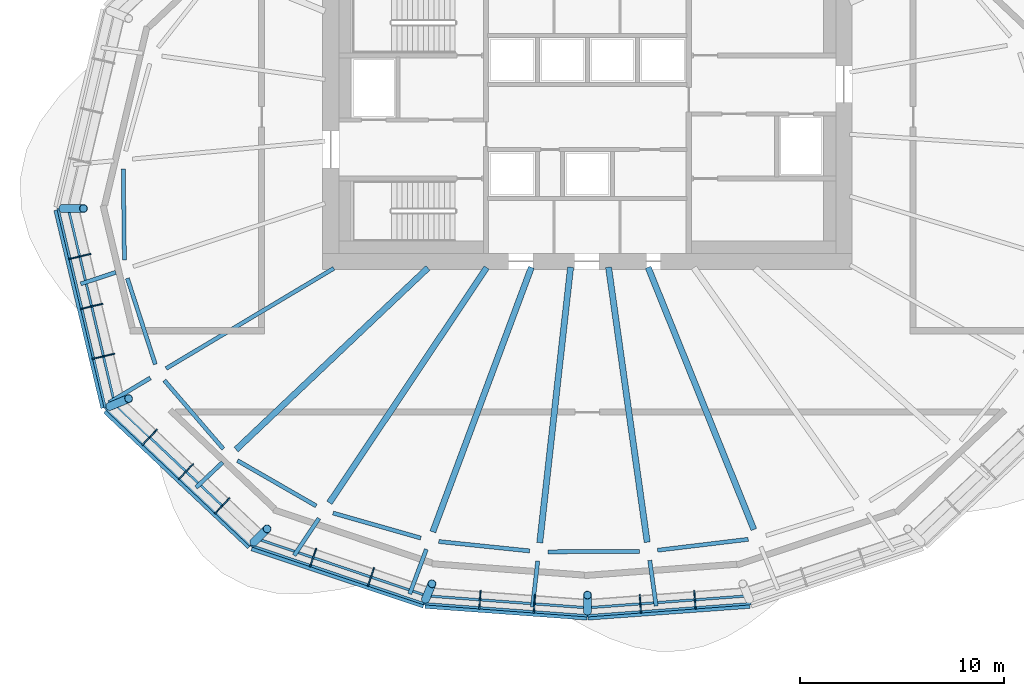
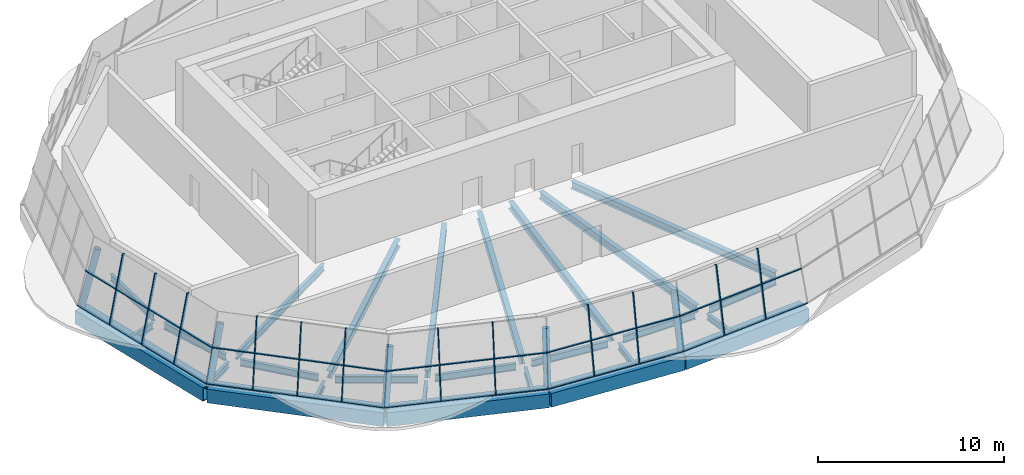
# One storey, part 1 of 9: 27 beams, 27 members, 5 elements without a shape of their own.
"""IFC4 building model written with IfcOpenShell, lengths in metres."""

from ifc_helpers import new_model, si_unit, direction, frame, origin, origin_2d, place, context, subcontext, project, spatial, rectangle, hollow_rectangle, hollow_circle, i_section, extrude, material, material_profile, profile_set, type_object, element, aggregate, save


model = new_model("IFC4")

# Units and contexts
model_context = context("Model", 3, precision=1e-05, world=origin(), true_north=direction((0.0, 1.0)))
body_context = subcontext(model_context, "Body", "Model", "MODEL_VIEW")
ifc_project = project(units=[si_unit("LENGTHUNIT", "METRE"), si_unit("AREAUNIT", "SQUARE_METRE"), si_unit("VOLUMEUNIT", "CUBIC_METRE"), si_unit("PLANEANGLEUNIT", "RADIAN"), si_unit("MASSUNIT", "GRAM", prefix="KILO")], contexts=[model_context])

# Site, building, storey
site_placement = place(None, origin())
site = spatial("IfcSite", under=ifc_project, at=site_placement, CompositionType="ELEMENT")
building_placement = place(site_placement, origin())
building = spatial("IfcBuilding", under=site, at=building_placement, Name="Rubra Terraces Tower", CompositionType="ELEMENT")
storey_placement = place(building_placement, frame((0.0, 0.0, 307.800048828125)))
storey = spatial("IfcBuildingStorey", under=building, at=storey_placement, Name="L76", CompositionType="ELEMENT", Elevation=307.800048828125)

# Beams
ifc_material_1 = material(Name="Steel Q355B", Category="steel")
ifc_material_profile_1 = material_profile(ifc_material_1, i_section(OverallWidth=0.199951171875, OverallDepth=0.39990234375, WebThickness=0.008056640625, FlangeThickness=0.012939453125, at=origin_2d()), Name="HN 400x200x8x13")
ifc_profile_set_1 = profile_set([ifc_material_profile_1], Name="Steel Q355B")
beam_type_1 = type_object("IfcBeamType", Name="CANTILEVER BEAM HN 400x200x8x13", PredefinedType="BEAM", material=ifc_profile_set_1)
beam_1_placement = place(storey_placement, frame((-23.1669921875, -3.135986328125, -0.400146484375), z_axis=(-0.949903143149, -0.31254442666, 0.0), x_axis=(0.31254442666, -0.949903143149, 0.0)))
element("IfcBeam", 1, at=beam_1_placement, inside=storey, type_object=beam_type_1, Name="beam-L76-cant-13", PredefinedType="BEAM", context=body_context, shape_type="SweptSolid", body=[
    extrude(i_section(OverallWidth=0.199951171875, OverallDepth=0.39990234375, WebThickness=0.008056640625, FlangeThickness=0.012939453125, at=origin_2d()), origin(), (0.0, 0.0, 1.0), 1.810791015625),
])
beam_2_placement = place(storey_placement, frame((-21.467041015625, -8.321044921875, -0.400146484375), z_axis=(-0.858773332424, -0.51235570019, 0.0), x_axis=(0.51235570019, -0.858773332424, 0.0)))
element("IfcBeam", 2, at=beam_2_placement, inside=storey, type_object=beam_type_1, Name="beam-L76-cant-14", PredefinedType="BEAM", context=body_context, shape_type="SweptSolid", body=[
    extrude(i_section(OverallWidth=0.199951171875, OverallDepth=0.39990234375, WebThickness=0.008056640625, FlangeThickness=0.012939453125, at=origin_2d()), origin(), (0.0, 0.0, 1.0), 2.3671875),
])
beam_3_placement = place(storey_placement, frame((-17.9130859375, -12.462890625, -0.400146484375), z_axis=(-0.725942009029, -0.687755915661, 0.0), x_axis=(0.687755915661, -0.725942009029, 0.0)))
element("IfcBeam", 3, at=beam_3_placement, inside=storey, type_object=beam_type_1, Name="beam-L76-cant-15", PredefinedType="BEAM", context=body_context, shape_type="SweptSolid", body=[
    extrude(i_section(OverallWidth=0.199951171875, OverallDepth=0.39990234375, WebThickness=0.008056640625, FlangeThickness=0.012939453125, at=origin_2d()), origin(), (0.0, 0.0, 1.0), 1.802978515625),
])
beam_4_placement = place(storey_placement, frame((-13.181884765625, -15.212890625, -0.400146484375), z_axis=(-0.555393079315, -0.831587955329, 0.0), x_axis=(0.831587955329, -0.555393079315, 0.0)))
element("IfcBeam", 4, at=beam_4_placement, inside=storey, type_object=beam_type_1, Name="beam-L76-cant-16", PredefinedType="BEAM", context=body_context, shape_type="SweptSolid", body=[
    extrude(i_section(OverallWidth=0.199951171875, OverallDepth=0.39990234375, WebThickness=0.008056640625, FlangeThickness=0.012939453125, at=origin_2d()), origin(), (0.0, 0.0, 1.0), 2.19482421875),
])
beam_5_placement = place(storey_placement, frame((-7.909912109375, -16.735107421875, -0.400146484375), z_axis=(-0.349408825605, -0.93697036911, 0.0), x_axis=(0.93697036911, -0.349408825605, 0.0)))
element("IfcBeam", 5, at=beam_5_placement, inside=storey, type_object=beam_type_1, Name="beam-L76-cant-17", PredefinedType="BEAM", context=body_context, shape_type="SweptSolid", body=[
    extrude(i_section(OverallWidth=0.199951171875, OverallDepth=0.39990234375, WebThickness=0.008056640625, FlangeThickness=0.012939453125, at=origin_2d()), origin(), (0.0, 0.0, 1.0), 2.34130859375),
])
beam_6_placement = place(storey_placement, frame((-2.44189453125, -17.31005859375, -0.400146484375), z_axis=(-0.111703379657, -0.993741593662, 0.0), x_axis=(0.993741593662, -0.111703379657, 0.0)))
element("IfcBeam", 6, at=beam_6_placement, inside=storey, type_object=beam_type_1, Name="beam-L76-cant-18", PredefinedType="BEAM", context=body_context, shape_type="SweptSolid", body=[
    extrude(i_section(OverallWidth=0.199951171875, OverallDepth=0.39990234375, WebThickness=0.008056640625, FlangeThickness=0.012939453125, at=origin_2d()), origin(), (0.0, 0.0, 1.0), 2.275146484375),
])
beam_7_placement = place(storey_placement, frame((3.06201171875, -17.282958984375, -0.400146484375), z_axis=(0.139349172758, -0.990243307502, 0.0), x_axis=(0.990243307502, 0.139349172758, 0.0)))
element("IfcBeam", 7, at=beam_7_placement, inside=storey, type_object=beam_type_1, Name="beam-L76-cant-19", PredefinedType="BEAM", context=body_context, shape_type="SweptSolid", body=[
    extrude(i_section(OverallWidth=0.199951171875, OverallDepth=0.39990234375, WebThickness=0.008056640625, FlangeThickness=0.012939453125, at=origin_2d()), origin(), (0.0, 0.0, 1.0), 2.260009765625),
])

# Members
ifc_material_profile_2 = material_profile(ifc_material_1, hollow_circle(Radius=0.202880859375, WallThickness=0.01611328125, at=origin_2d()), Name="CHS 406x16")
ifc_profile_set_2 = profile_set([ifc_material_profile_2], Name="Steel Q355B")
member_type_1 = type_object("IfcMemberType", Name="CROWN POST CHS 406x16", PredefinedType="POST", material=ifc_profile_set_2)
member_1_placement = place(storey_placement, frame((-25.76708984375, 0.0, -0.199951171875), z_axis=(0.279053306504, 0.0, 0.960275612587), x_axis=(0.0, 1.0, 0.0)))
element("IfcMember", 8, at=member_1_placement, inside=storey, type_object=member_type_1, Name="CROWN POST", PredefinedType="POST", context=body_context, shape_type="SweptSolid", body=[
    extrude(hollow_circle(Radius=0.202880859375, WallThickness=0.01611328125, at=origin_2d()), origin(), (0.0, 0.0, 1.0), 3.644775390625),
])
member_2_placement = place(storey_placement, frame((-23.456787109375, -9.7158203125, -0.199951171875), z_axis=(0.254357897839, 0.10521685782, 0.96136958171), x_axis=(-0.382244200362, 0.924061346064, 0.0)))
element("IfcMember", 9, at=member_2_placement, inside=storey, type_object=member_type_1, Name="CROWN POST", PredefinedType="POST", context=body_context, shape_type="SweptSolid", body=[
    extrude(hollow_circle(Radius=0.202880859375, WallThickness=0.01611328125, at=origin_2d()), origin(), (0.0, 0.0, 1.0), 3.640625),
])
member_3_placement = place(storey_placement, frame((-16.379150390625, -16.379150390625, -0.199951171875), z_axis=(0.178839493723, 0.178839493723, 0.967487917739), x_axis=(-0.707106781187, 0.707106781187, 0.0)))
element("IfcMember", 10, at=member_3_placement, inside=storey, type_object=member_type_1, Name="CROWN POST", PredefinedType="POST", context=body_context, shape_type="SweptSolid", body=[
    extrude(hollow_circle(Radius=0.202880859375, WallThickness=0.01611328125, at=origin_2d()), origin(), (0.0, 0.0, 1.0), 3.61767578125),
])
member_4_placement = place(storey_placement, frame((-7.94775390625, -19.188720703125, -0.199951171875), z_axis=(0.087331454924, 0.211130243668, 0.973548785213), x_axis=(-0.924067518239, 0.382229279014, 0.0)))
element("IfcMember", 11, at=member_4_placement, inside=storey, type_object=member_type_1, Name="CROWN POST", PredefinedType="POST", context=body_context, shape_type="SweptSolid", body=[
    extrude(hollow_circle(Radius=0.202880859375, WallThickness=0.01611328125, at=origin_2d()), origin(), (0.0, 0.0, 1.0), 3.59521484375),
])
member_5_placement = place(storey_placement, frame((0.0, -19.76708984375, -0.199951171875), z_axis=(0.0, 0.218047563731, 0.975938143506), x_axis=(-1.0, 0.0, 0.0)))
element("IfcMember", 12, at=member_5_placement, inside=storey, type_object=member_type_1, Name="CROWN POST", PredefinedType="POST", context=body_context, shape_type="SweptSolid", body=[
    extrude(hollow_circle(Radius=0.202880859375, WallThickness=0.01611328125, at=origin_2d()), origin(), (0.0, 0.0, 1.0), 3.586181640625),
])

# Beams
ifc_material_profile_3 = material_profile(ifc_material_1, hollow_rectangle(XDim=0.89990234375, YDim=0.89990234375, WallThickness=0.044921875, at=origin_2d()), Name="BOX 900x900x45")
ifc_profile_set_3 = profile_set([ifc_material_profile_3], Name="Steel Q355B")
beam_type_2 = type_object("IfcBeamType", Name="CROWN RING GIRDER BOX 900x900x45", PredefinedType="BEAM", material=ifc_profile_set_3)
beam_8_placement = place(storey_placement, frame((-25.76708984375, 0.0, -0.650146484375), z_axis=(0.231308749283, -0.972880394758, 0.0), x_axis=(0.972880394758, 0.231308749283, 0.0)))
element("IfcBeam", 13, at=beam_8_placement, inside=storey, type_object=beam_type_2, Name="CROWN RING GIRDER", PredefinedType="BEAM", context=body_context, shape_type="SweptSolid", body=[
    extrude(hollow_rectangle(XDim=0.89990234375, YDim=0.89990234375, WallThickness=0.044921875, at=origin_2d()), origin(), (0.0, 0.0, 1.0), 9.98681640625),
])
beam_9_placement = place(storey_placement, frame((-23.45703125, -9.716064453125, -0.650146484375), z_axis=(0.728144690434, -0.685423452905, 0.0), x_axis=(0.685423452905, 0.728144690434, 0.0)))
element("IfcBeam", 14, at=beam_9_placement, inside=storey, type_object=beam_type_2, Name="CROWN RING GIRDER", PredefinedType="BEAM", context=body_context, shape_type="SweptSolid", body=[
    extrude(hollow_rectangle(XDim=0.89990234375, YDim=0.89990234375, WallThickness=0.044921875, at=origin_2d()), origin(), (0.0, 0.0, 1.0), 9.720703125),
])
beam_10_placement = place(storey_placement, frame((-16.37890625, -16.37890625, -0.650146484375), z_axis=(0.948691539337, -0.316203041084, 0.0), x_axis=(0.316203041084, 0.948691539337, 0.0)))
element("IfcBeam", 15, at=beam_10_placement, inside=storey, type_object=beam_type_2, Name="CROWN RING GIRDER", PredefinedType="BEAM", context=body_context, shape_type="SweptSolid", body=[
    extrude(hollow_rectangle(XDim=0.89990234375, YDim=0.89990234375, WallThickness=0.044921875, at=origin_2d()), origin(), (0.0, 0.0, 1.0), 8.886962890625),
])
for number, where, z_axis, x_axis, name in (
    (16, (-7.947998046875, -19.18896484375, -0.650146484375), (0.997365010944, -0.072546777635, 0.0), (0.072546777635, 0.997365010944, 0.0), "CROWN RING GIRDER"),
    (17, (0.0, -19.76708984375, -0.650146484375), (0.997365010944, 0.072546777635, 0.0), (-0.072546777635, 0.997365010944, 0.0), "CROWN RING GIRDER"),
):
    element("IfcBeam", number, at=place(storey_placement, frame(where, z_axis=z_axis, x_axis=x_axis)), inside=storey, type_object=beam_type_2, Name=name, PredefinedType="BEAM", context=body_context, shape_type="SweptSolid", body=[
        extrude(hollow_rectangle(XDim=0.89990234375, YDim=0.89990234375, WallThickness=0.044921875, at=origin_2d()), origin(), (0.0, 0.0, 1.0), 7.968994140625),
    ])

# Curtain wall, members
ifc_material_2 = material(Name="Aluminium and glass", Category="aluminium")
curtain_wall_type = type_object("IfcCurtainWallType", Name="Curtain wall Crown glazing", PredefinedType="NOTDEFINED", material=ifc_material_2)
curtain_wall_1_placement = place(storey_placement, origin())
curtain_wall_1 = element("IfcCurtainWall", 18, at=curtain_wall_1_placement, inside=storey, type_object=curtain_wall_type, Name="Crown glazing L76 facet 9", PredefinedType="NOTDEFINED")
ifc_material_3 = material(Name="Aluminium, anodised dark grey", Category="aluminium")
ifc_material_profile_4 = material_profile(ifc_material_3, rectangle(XDim=0.06005859375, YDim=0.159912109375, at=origin_2d()), Name="AL 60x160")
ifc_profile_set_4 = profile_set([ifc_material_profile_4], Name="Aluminium, anodised dark grey")
member_type_2 = type_object("IfcMemberType", Name="Crown glazing mullion 60 x 160", PredefinedType="MULLION", material=ifc_profile_set_4)
member_6_placement = place(storey_placement, frame((-25.41357421875, -2.4697265625, 0.0), z_axis=(0.223097402473, 0.052959464549, 0.973356483579), x_axis=(-0.230964397981, 0.972962202177, 0.0)))
member_6 = element("IfcMember", 19, at=member_6_placement, type_object=member_type_2, Name="Crown glazing L76 facet 9 mullion 1", PredefinedType="MULLION", context=body_context, shape_type="SweptSolid", body=[
    extrude(rectangle(XDim=0.06005859375, YDim=0.159912109375, at=origin_2d()), origin(), (0.0, 0.0, 1.0), 4.31494140625),
])
member_7_placement = place(storey_placement, frame((-24.83154296875, -4.9208984375, 0.0), z_axis=(0.223097402473, 0.052959464549, 0.973356483579), x_axis=(-0.230964397981, 0.972962202177, 0.0)))
member_7 = element("IfcMember", 20, at=member_7_placement, type_object=member_type_2, Name="Crown glazing L76 facet 9 mullion 2", PredefinedType="MULLION", context=body_context, shape_type="SweptSolid", body=[
    extrude(rectangle(XDim=0.06005859375, YDim=0.159912109375, at=origin_2d()), origin(), (0.0, 0.0, 1.0), 4.31494140625),
])
member_8_placement = place(storey_placement, frame((-24.24951171875, -7.372314453125, 0.0), z_axis=(0.223097402473, 0.052959464549, 0.973356483579), x_axis=(-0.230964397981, 0.972962202177, 0.0)))
member_8 = element("IfcMember", 21, at=member_8_placement, type_object=member_type_2, Name="Crown glazing L76 facet 9 mullion 3", PredefinedType="MULLION", context=body_context, shape_type="SweptSolid", body=[
    extrude(rectangle(XDim=0.06005859375, YDim=0.159912109375, at=origin_2d()), origin(), (0.0, 0.0, 1.0), 4.31494140625),
])

curtain_wall_2_placement = place(storey_placement, origin())
curtain_wall_2 = element("IfcCurtainWall", 22, at=curtain_wall_2_placement, inside=storey, type_object=curtain_wall_type, Name="Crown glazing L76 facet 10", PredefinedType="NOTDEFINED")
member_9_placement = place(storey_placement, frame((-21.810791015625, -11.564453125, 0.0), z_axis=(0.146142986341, 0.154605988659, 0.977107576377), x_axis=(-0.726716925474, 0.686937049685, 0.0)))
member_9 = element("IfcMember", 23, at=member_9_placement, type_object=member_type_2, Name="Crown glazing L76 facet 10 mullion 1", PredefinedType="MULLION", context=body_context, shape_type="SweptSolid", body=[
    extrude(rectangle(XDim=0.06005859375, YDim=0.159912109375, at=origin_2d()), origin(), (0.0, 0.0, 1.0), 4.29833984375),
])
member_10_placement = place(storey_placement, frame((-20.02880859375, -13.249267578125, 0.0), z_axis=(0.146142986341, 0.154605988659, 0.977107576377), x_axis=(-0.726716925474, 0.686937049685, 0.0)))
member_10 = element("IfcMember", 24, at=member_10_placement, type_object=member_type_2, Name="Crown glazing L76 facet 10 mullion 2", PredefinedType="MULLION", context=body_context, shape_type="SweptSolid", body=[
    extrude(rectangle(XDim=0.06005859375, YDim=0.159912109375, at=origin_2d()), origin(), (0.0, 0.0, 1.0), 4.29833984375),
])
member_11_placement = place(storey_placement, frame((-18.246826171875, -14.93408203125, 0.0), z_axis=(0.146142986341, 0.154605988659, 0.977107576377), x_axis=(-0.726716925474, 0.686937049685, 0.0)))
member_11 = element("IfcMember", 25, at=member_11_placement, type_object=member_type_2, Name="Crown glazing L76 facet 10 mullion 3", PredefinedType="MULLION", context=body_context, shape_type="SweptSolid", body=[
    extrude(rectangle(XDim=0.06005859375, YDim=0.159912109375, at=origin_2d()), origin(), (0.0, 0.0, 1.0), 4.29833984375),
])

curtain_wall_3_placement = place(storey_placement, origin())
curtain_wall_3 = element("IfcCurtainWall", 26, at=curtain_wall_3_placement, inside=storey, type_object=curtain_wall_type, Name="Crown glazing L76 facet 11", PredefinedType="NOTDEFINED")
member_12_placement = place(storey_placement, frame((-13.5986328125, -17.5341796875, 0.0), z_axis=(0.061047560781, 0.181488122283, 0.981496437484), x_axis=(-0.947815667903, 0.318818850882, 0.0)))
member_12 = element("IfcMember", 27, at=member_12_placement, type_object=member_type_2, Name="Crown glazing L76 facet 11 mullion 1", PredefinedType="MULLION", context=body_context, shape_type="SweptSolid", body=[
    extrude(rectangle(XDim=0.06005859375, YDim=0.159912109375, at=origin_2d()), origin(), (0.0, 0.0, 1.0), 4.279052734375),
])
member_13_placement = place(storey_placement, frame((-10.762939453125, -18.487548828125, 0.0), z_axis=(0.061046928569, 0.181543295987, 0.981486273055), x_axis=(-0.947845941516, 0.318728836399, 0.0)))
member_13 = element("IfcMember", 28, at=member_13_placement, type_object=member_type_2, Name="Crown glazing L76 facet 11 mullion 2", PredefinedType="MULLION", context=body_context, shape_type="SweptSolid", body=[
    extrude(rectangle(XDim=0.06005859375, YDim=0.159912109375, at=origin_2d()), origin(), (0.0, 0.0, 1.0), 4.279052734375),
])

curtain_wall_4_placement = place(storey_placement, origin())
curtain_wall_4 = element("IfcCurtainWall", 29, at=curtain_wall_4_placement, inside=storey, type_object=curtain_wall_type, Name="Crown glazing L76 facet 12", PredefinedType="NOTDEFINED")
member_14_placement = place(storey_placement, frame((-5.308349609375, -19.606201171875, 0.0), z_axis=(0.013488067911, 0.182031763971, 0.983200136762), x_axis=(-0.997266045522, 0.07389475251, 0.0)))
member_14 = element("IfcMember", 30, at=member_14_placement, type_object=member_type_2, Name="Crown glazing L76 facet 12 mullion 1", PredefinedType="MULLION", context=body_context, shape_type="SweptSolid", body=[
    extrude(rectangle(XDim=0.06005859375, YDim=0.159912109375, at=origin_2d()), origin(), (0.0, 0.0, 1.0), 4.271728515625),
])
member_15_placement = place(storey_placement, frame((-2.62939453125, -19.804931640625, 0.0), z_axis=(0.013487927566, 0.182087022147, 0.983189906465), x_axis=(-0.997267754457, 0.073871685515, 0.0)))
member_15 = element("IfcMember", 31, at=member_15_placement, type_object=member_type_2, Name="Crown glazing L76 facet 12 mullion 2", PredefinedType="MULLION", context=body_context, shape_type="SweptSolid", body=[
    extrude(rectangle(XDim=0.06005859375, YDim=0.159912109375, at=origin_2d()), origin(), (0.0, 0.0, 1.0), 4.271728515625),
])

curtain_wall_5_placement = place(storey_placement, origin())
curtain_wall_5 = element("IfcCurtainWall", 32, at=curtain_wall_5_placement, inside=storey, type_object=curtain_wall_type, Name="Crown glazing L76 facet 13", PredefinedType="NOTDEFINED")
member_16_placement = place(storey_placement, frame((2.62939453125, -19.804931640625, 0.0), z_axis=(-0.013487927566, 0.182087022147, 0.983189906465), x_axis=(-0.997267754457, -0.073871685515, 0.0)))
member_16 = element("IfcMember", 33, at=member_16_placement, type_object=member_type_2, Name="Crown glazing L76 facet 13 mullion 1", PredefinedType="MULLION", context=body_context, shape_type="SweptSolid", body=[
    extrude(rectangle(XDim=0.06005859375, YDim=0.159912109375, at=origin_2d()), origin(), (0.0, 0.0, 1.0), 4.271728515625),
])
member_17_placement = place(storey_placement, frame((5.308349609375, -19.606201171875, 0.0), z_axis=(-0.013488067911, 0.182031763971, 0.983200136762), x_axis=(-0.997266045522, -0.07389475251, 0.0)))
member_17 = element("IfcMember", 34, at=member_17_placement, type_object=member_type_2, Name="Crown glazing L76 facet 13 mullion 2", PredefinedType="MULLION", context=body_context, shape_type="SweptSolid", body=[
    extrude(rectangle(XDim=0.06005859375, YDim=0.159912109375, at=origin_2d()), origin(), (0.0, 0.0, 1.0), 4.271728515625),
])

# Member
ifc_material_profile_5 = material_profile(ifc_material_3, rectangle(XDim=0.1201171875, YDim=0.06005859375, at=origin_2d()), Name="AL 120x60")
ifc_profile_set_5 = profile_set([ifc_material_profile_5], Name="Aluminium, anodised dark grey")
member_type_3 = type_object("IfcMemberType", Name="Crown glazing transom 120 x 60", PredefinedType="USERDEFINED", material=ifc_profile_set_5)
member_18_placement = place(storey_placement, frame((-26.0, 0.0, 0.0), z_axis=(0.230998185213, -0.972954181053, 0.0), x_axis=(0.972954181053, 0.230998185213, 0.0)))
member_18 = element("IfcMember", 35, at=member_18_placement, type_object=member_type_3, Name="Crown glazing L76 facet 9 transom 1", ObjectType="TRANSOM", PredefinedType="USERDEFINED", context=body_context, shape_type="SweptSolid", body=[
    extrude(rectangle(XDim=0.1201171875, YDim=0.06005859375, at=origin_2d()), origin(), (0.0, 0.0, 1.0), 10.077392578125),
])

member_19_placement = place(storey_placement, frame((-25.491455078125, 0.0, 2.099853515625), z_axis=(0.231001384979, -0.972953421361, 0.0), x_axis=(0.972953421361, 0.231001384979, 0.0)))
member_19 = element("IfcMember", 36, at=member_19_placement, type_object=member_type_3, Name="Crown glazing L76 facet 9 transom 2", ObjectType="TRANSOM", PredefinedType="USERDEFINED", context=body_context, shape_type="SweptSolid", body=[
    extrude(rectangle(XDim=0.1201171875, YDim=0.06005859375, at=origin_2d()), origin(), (0.0, 0.0, 1.0), 9.880859375),
])

aggregate(curtain_wall_1, [member_6, member_7, member_8, member_18, member_19])

member_20_placement = place(storey_placement, frame((-23.672119140625, -9.804931640625, 0.0), z_axis=(0.726664500486, -0.686992506316, 0.0), x_axis=(0.686992506316, 0.726664500486, 0.0)))
member_20 = element("IfcMember", 37, at=member_20_placement, type_object=member_type_3, Name="Crown glazing L76 facet 10 transom 1", ObjectType="TRANSOM", PredefinedType="USERDEFINED", context=body_context, shape_type="SweptSolid", body=[
    extrude(rectangle(XDim=0.1201171875, YDim=0.06005859375, at=origin_2d()), origin(), (0.0, 0.0, 1.0), 9.809326171875),
])

member_21_placement = place(storey_placement, frame((-23.208984375, -9.613525390625, 2.099853515625), z_axis=(0.726667391674, -0.686989448156, 0.0), x_axis=(0.686989448156, 0.726667391674, 0.0)))
member_21 = element("IfcMember", 38, at=member_21_placement, type_object=member_type_3, Name="Crown glazing L76 facet 10 transom 2", ObjectType="TRANSOM", PredefinedType="USERDEFINED", context=body_context, shape_type="SweptSolid", body=[
    extrude(rectangle(XDim=0.1201171875, YDim=0.06005859375, at=origin_2d()), origin(), (0.0, 0.0, 1.0), 9.6171875),
])

aggregate(curtain_wall_2, [member_9, member_10, member_11, member_20, member_21])

member_22_placement = place(storey_placement, frame((-16.5439453125, -16.5439453125, 0.0), z_axis=(0.947861307541, -0.318683136777, 0.0), x_axis=(0.318683136777, 0.947861307541, 0.0)))
member_22 = element("IfcMember", 39, at=member_22_placement, type_object=member_type_3, Name="Crown glazing L76 facet 11 transom 1", ObjectType="TRANSOM", PredefinedType="USERDEFINED", context=body_context, shape_type="SweptSolid", body=[
    extrude(rectangle(XDim=0.1201171875, YDim=0.06005859375, at=origin_2d()), origin(), (0.0, 0.0, 1.0), 8.974853515625),
])

member_23_placement = place(storey_placement, frame((-16.220458984375, -16.220458984375, 2.099853515625), z_axis=(0.947870015564, -0.318657235277, 0.0), x_axis=(0.318657235277, 0.947870015564, 0.0)))
member_23 = element("IfcMember", 40, at=member_23_placement, type_object=member_type_3, Name="Crown glazing L76 facet 11 transom 2", ObjectType="TRANSOM", PredefinedType="USERDEFINED", context=body_context, shape_type="SweptSolid", body=[
    extrude(rectangle(XDim=0.1201171875, YDim=0.06005859375, at=origin_2d()), origin(), (0.0, 0.0, 1.0), 8.79931640625),
])

aggregate(curtain_wall_3, [member_12, member_13, member_22, member_23])

member_24_placement = place(storey_placement, frame((-8.037109375, -19.404052734375, 0.0), z_axis=(0.997262213687, -0.073946447862, 0.0), x_axis=(0.073946447862, 0.997262213687, 0.0)))
member_24 = element("IfcMember", 41, at=member_24_placement, type_object=member_type_3, Name="Crown glazing L76 facet 12 transom 1", ObjectType="TRANSOM", PredefinedType="USERDEFINED", context=body_context, shape_type="SweptSolid", body=[
    extrude(rectangle(XDim=0.1201171875, YDim=0.06005859375, at=origin_2d()), origin(), (0.0, 0.0, 1.0), 8.05908203125),
])

member_25_placement = place(storey_placement, frame((-7.8798828125, -19.024658203125, 2.099853515625), z_axis=(0.997262778171, -0.073938834681, 0.0), x_axis=(0.073938834681, 0.997262778171, 0.0)))
member_25 = element("IfcMember", 42, at=member_25_placement, type_object=member_type_3, Name="Crown glazing L76 facet 12 transom 2", ObjectType="TRANSOM", PredefinedType="USERDEFINED", context=body_context, shape_type="SweptSolid", body=[
    extrude(rectangle(XDim=0.1201171875, YDim=0.06005859375, at=origin_2d()), origin(), (0.0, 0.0, 1.0), 7.901611328125),
])

aggregate(curtain_wall_4, [member_14, member_15, member_24, member_25])

member_26_placement = place(storey_placement, frame((0.0, -20.0, 0.0), z_axis=(0.997262213687, 0.073946447862, 0.0), x_axis=(-0.073946447862, 0.997262213687, 0.0)))
member_26 = element("IfcMember", 43, at=member_26_placement, type_object=member_type_3, Name="Crown glazing L76 facet 13 transom 1", ObjectType="TRANSOM", PredefinedType="USERDEFINED", context=body_context, shape_type="SweptSolid", body=[
    extrude(rectangle(XDim=0.1201171875, YDim=0.06005859375, at=origin_2d()), origin(), (0.0, 0.0, 1.0), 8.05908203125),
])

member_27_placement = place(storey_placement, frame((0.0, -19.60888671875, 2.099853515625), z_axis=(0.997262778171, 0.073938834681, 0.0), x_axis=(-0.073938834681, 0.997262778171, 0.0)))
member_27 = element("IfcMember", 44, at=member_27_placement, type_object=member_type_3, Name="Crown glazing L76 facet 13 transom 2", ObjectType="TRANSOM", PredefinedType="USERDEFINED", context=body_context, shape_type="SweptSolid", body=[
    extrude(rectangle(XDim=0.1201171875, YDim=0.06005859375, at=origin_2d()), origin(), (0.0, 0.0, 1.0), 7.901611328125),
])

aggregate(curtain_wall_5, [member_16, member_17, member_26, member_27])

# Beams
ifc_material_profile_6 = material_profile(ifc_material_1, i_section(OverallWidth=0.300048828125, OverallDepth=0.48193359375, WebThickness=0.010986328125, FlangeThickness=0.014892578125, at=origin_2d()), Name="HM 482x300x11x15")
ifc_profile_set_6 = profile_set([ifc_material_profile_6], Name="Steel Q355B")
beam_type_3 = type_object("IfcBeamType", Name="FLOOR BEAM HM 482x300x11x15", PredefinedType="BEAM", material=ifc_profile_set_6)
beam_11_placement = place(storey_placement, frame((-17.2548828125, -11.839111328125, -0.441162109375), z_axis=(0.726101482513, 0.687587548674, 0.0), x_axis=(-0.687587548674, 0.726101482513, 0.0)))
element("IfcBeam", 45, at=beam_11_placement, inside=storey, type_object=beam_type_3, Name="beam-L76-floor-15", PredefinedType="BEAM", context=body_context, shape_type="SweptSolid", body=[
    extrude(i_section(OverallWidth=0.300048828125, OverallDepth=0.48193359375, WebThickness=0.010986328125, FlangeThickness=0.014892578125, at=origin_2d()), origin(), (0.0, 0.0, 1.0), 12.97607421875),
])
beam_12_placement = place(storey_placement, frame((-12.672119140625, -14.450927734375, -0.441162109375), z_axis=(0.55586735335, 0.831271006038, 0.0), x_axis=(-0.831271006038, 0.55586735335, 0.0)))
element("IfcBeam", 46, at=beam_12_placement, inside=storey, type_object=beam_type_3, Name="beam-L76-floor-16", PredefinedType="BEAM", context=body_context, shape_type="SweptSolid", body=[
    extrude(i_section(OverallWidth=0.300048828125, OverallDepth=0.48193359375, WebThickness=0.010986328125, FlangeThickness=0.014892578125, at=origin_2d()), origin(), (0.0, 0.0, 1.0), 13.8955078125),
])
beam_13_placement = place(storey_placement, frame((-7.592041015625, -15.87890625, -0.441162109375), z_axis=(0.349129035616, 0.937074658973, 0.0), x_axis=(-0.937074658973, 0.349129035616, 0.0)))
element("IfcBeam", 47, at=beam_13_placement, inside=storey, type_object=beam_type_3, Name="beam-L76-floor-17", PredefinedType="BEAM", context=body_context, shape_type="SweptSolid", body=[
    extrude(i_section(OverallWidth=0.300048828125, OverallDepth=0.48193359375, WebThickness=0.010986328125, FlangeThickness=0.014892578125, at=origin_2d()), origin(), (0.0, 0.0, 1.0), 13.86328125),
])
beam_14_placement = place(storey_placement, frame((-2.342041015625, -16.4140625, -0.441162109375), z_axis=(0.111334672678, 0.993782969596, 0.0), x_axis=(-0.993782969596, 0.111334672678, 0.0)))
element("IfcBeam", 48, at=beam_14_placement, inside=storey, type_object=beam_type_3, Name="beam-L76-floor-18", PredefinedType="BEAM", context=body_context, shape_type="SweptSolid", body=[
    extrude(i_section(OverallWidth=0.300048828125, OverallDepth=0.48193359375, WebThickness=0.010986328125, FlangeThickness=0.014892578125, at=origin_2d()), origin(), (0.0, 0.0, 1.0), 13.61767578125),
])
beam_15_placement = place(storey_placement, frame((2.93603515625, -16.388916015625, -0.441162109375), z_axis=(-0.139140748081, 0.990272615103, 0.0), x_axis=(-0.990272615103, -0.139140748081, 0.0)))
element("IfcBeam", 49, at=beam_15_placement, inside=storey, type_object=beam_type_3, Name="beam-L76-floor-19", PredefinedType="BEAM", context=body_context, shape_type="SweptSolid", body=[
    extrude(i_section(OverallWidth=0.300048828125, OverallDepth=0.48193359375, WebThickness=0.010986328125, FlangeThickness=0.014892578125, at=origin_2d()), origin(), (0.0, 0.0, 1.0), 13.640380859375),
])
beam_16_placement = place(storey_placement, frame((8.176025390625, -15.76806640625, -0.441162109375), z_axis=(-0.374083693877, 0.927394948215, 0.0), x_axis=(-0.927394948215, -0.374083693877, 0.0)))
element("IfcBeam", 50, at=beam_16_placement, inside=storey, type_object=beam_type_3, Name="beam-L76-floor-20", PredefinedType="BEAM", context=body_context, shape_type="SweptSolid", body=[
    extrude(i_section(OverallWidth=0.300048828125, OverallDepth=0.48193359375, WebThickness=0.010986328125, FlangeThickness=0.014892578125, at=origin_2d()), origin(), (0.0, 0.0, 1.0), 13.887451171875),
])
ifc_material_profile_7 = material_profile(ifc_material_1, i_section(OverallWidth=0.198974609375, OverallDepth=0.446044921875, WebThickness=0.008056640625, FlangeThickness=0.011962890625, at=origin_2d()), Name="HN 446x199x8x12")
ifc_profile_set_7 = profile_set([ifc_material_profile_7], Name="Steel Q355B")
beam_type_4 = type_object("IfcBeamType", Name="FLOOR BEAM HN 446x199x8x12", PredefinedType="BEAM", material=ifc_profile_set_7)
beam_17_placement = place(storey_placement, frame((-20.695068359375, -7.85888671875, -0.423095703125), z_axis=(0.858552756119, 0.512725233396, 0.0), x_axis=(-0.512725233396, 0.858552756119, 0.0)))
element("IfcBeam", 51, at=beam_17_placement, inside=storey, type_object=beam_type_4, Name="beam-L76-floor-14", PredefinedType="BEAM", context=body_context, shape_type="SweptSolid", body=[
    extrude(i_section(OverallWidth=0.198974609375, OverallDepth=0.446044921875, WebThickness=0.008056640625, FlangeThickness=0.011962890625, at=origin_2d()), origin(), (0.0, 0.0, 1.0), 9.59765625),
])
ifc_material_profile_8 = material_profile(ifc_material_1, i_section(OverallWidth=0.198974609375, OverallDepth=0.446044921875, WebThickness=0.008056640625, FlangeThickness=0.011962890625, at=origin_2d()), Name="HN 446x199x8x12")
ifc_profile_set_8 = profile_set([ifc_material_profile_8], Name="Steel Q355B")
beam_type_5 = type_object("IfcBeamType", Name="SPANDREL BEAM HN 446x199x8x12", PredefinedType="SPANDREL", material=ifc_profile_set_8)
beam_18_placement = place(storey_placement, frame((-22.7958984375, 1.93408203125, -0.423095703125), z_axis=(0.01250038801, -0.999921867097, 0.0), x_axis=(0.999921867097, 0.01250038801, 0.0)))
element("IfcBeam", 52, at=beam_18_placement, inside=storey, type_object=beam_type_5, Name="beam-L76-spandrel-12", PredefinedType="SPANDREL", context=body_context, shape_type="SweptSolid", body=[
    extrude(i_section(OverallWidth=0.198974609375, OverallDepth=0.446044921875, WebThickness=0.008056640625, FlangeThickness=0.011962890625, at=origin_2d()), origin(), (0.0, 0.0, 1.0), 4.472412109375),
])
beam_19_placement = place(storey_placement, frame((-22.593994140625, -3.426025390625, -0.423095703125), z_axis=(0.308536942246, -0.951212360764, 0.0), x_axis=(0.951212360764, 0.308536942246, 0.0)))
element("IfcBeam", 53, at=beam_19_placement, inside=storey, type_object=beam_type_5, Name="beam-L76-spandrel-13", PredefinedType="SPANDREL", context=body_context, shape_type="SweptSolid", body=[
    extrude(i_section(OverallWidth=0.198974609375, OverallDepth=0.446044921875, WebThickness=0.008056640625, FlangeThickness=0.011962890625, at=origin_2d()), origin(), (0.0, 0.0, 1.0), 4.44384765625),
])
beam_20_placement = place(storey_placement, frame((-20.781005859375, -8.43798828125, -0.423095703125), z_axis=(0.652473175209, -0.757811820726, 0.0), x_axis=(0.757811820726, 0.652473175209, 0.0)))
element("IfcBeam", 54, at=beam_20_placement, inside=storey, type_object=beam_type_5, Name="beam-L76-spandrel-14", PredefinedType="SPANDREL", context=body_context, shape_type="SweptSolid", body=[
    extrude(i_section(OverallWidth=0.198974609375, OverallDepth=0.446044921875, WebThickness=0.008056640625, FlangeThickness=0.011962890625, at=origin_2d()), origin(), (0.0, 0.0, 1.0), 4.44287109375),
])
beam_21_placement = place(storey_placement, frame((-17.18798828125, -12.37890625, -0.423095703125), z_axis=(0.866616005945, -0.498975648945, 0.0), x_axis=(0.498975648945, 0.866616005945, 0.0)))
element("IfcBeam", 55, at=beam_21_placement, inside=storey, type_object=beam_type_5, Name="beam-L76-spandrel-15", PredefinedType="SPANDREL", context=body_context, shape_type="SweptSolid", body=[
    extrude(i_section(OverallWidth=0.198974609375, OverallDepth=0.446044921875, WebThickness=0.008056640625, FlangeThickness=0.011962890625, at=origin_2d()), origin(), (0.0, 0.0, 1.0), 4.463134765625),
])
beam_22_placement = place(storey_placement, frame((-12.490966796875, -14.9560546875, -0.423095703125), z_axis=(0.961713024643, -0.27405849418, 0.0), x_axis=(0.27405849418, 0.961713024643, 0.0)))
element("IfcBeam", 56, at=beam_22_placement, inside=storey, type_object=beam_type_5, Name="beam-L76-spandrel-16", PredefinedType="SPANDREL", context=body_context, shape_type="SweptSolid", body=[
    extrude(i_section(OverallWidth=0.198974609375, OverallDepth=0.446044921875, WebThickness=0.008056640625, FlangeThickness=0.011962890625, at=origin_2d()), origin(), (0.0, 0.0, 1.0), 4.477294921875),
])
beam_23_placement = place(storey_placement, frame((-7.302001953125, -16.35400390625, -0.423095703125), z_axis=(0.994684107425, -0.102973425873, 0.0), x_axis=(0.102973425873, 0.994684107425, 0.0)))
element("IfcBeam", 57, at=beam_23_placement, inside=storey, type_object=beam_type_5, Name="beam-L76-spandrel-17", PredefinedType="SPANDREL", context=body_context, shape_type="SweptSolid", body=[
    extrude(i_section(OverallWidth=0.198974609375, OverallDepth=0.446044921875, WebThickness=0.008056640625, FlangeThickness=0.011962890625, at=origin_2d()), origin(), (0.0, 0.0, 1.0), 4.48583984375),
])
beam_24_placement = place(storey_placement, frame((-1.94091796875, -16.860107421875, -0.423095703125), z_axis=(0.999987753188, 0.004949088244, 0.0), x_axis=(-0.004949088244, 0.999987753188, 0.0)))
element("IfcBeam", 58, at=beam_24_placement, inside=storey, type_object=beam_type_5, Name="beam-L76-spandrel-18", PredefinedType="SPANDREL", context=body_context, shape_type="SweptSolid", body=[
    extrude(i_section(OverallWidth=0.198974609375, OverallDepth=0.446044921875, WebThickness=0.008056640625, FlangeThickness=0.011962890625, at=origin_2d()), origin(), (0.0, 0.0, 1.0), 4.489013671875),
])
beam_25_placement = place(storey_placement, frame((3.447021484375, -16.781982421875, -0.423095703125), z_axis=(0.992829862118, 0.119536040116, 0.0), x_axis=(-0.119536040116, 0.992829862118, 0.0)))
element("IfcBeam", 59, at=beam_25_placement, inside=storey, type_object=beam_type_5, Name="beam-L76-spandrel-19", PredefinedType="SPANDREL", context=body_context, shape_type="SweptSolid", body=[
    extrude(i_section(OverallWidth=0.198974609375, OverallDepth=0.446044921875, WebThickness=0.008056640625, FlangeThickness=0.011962890625, at=origin_2d()), origin(), (0.0, 0.0, 1.0), 4.483154296875),
])

save(model, "model.ifc")
